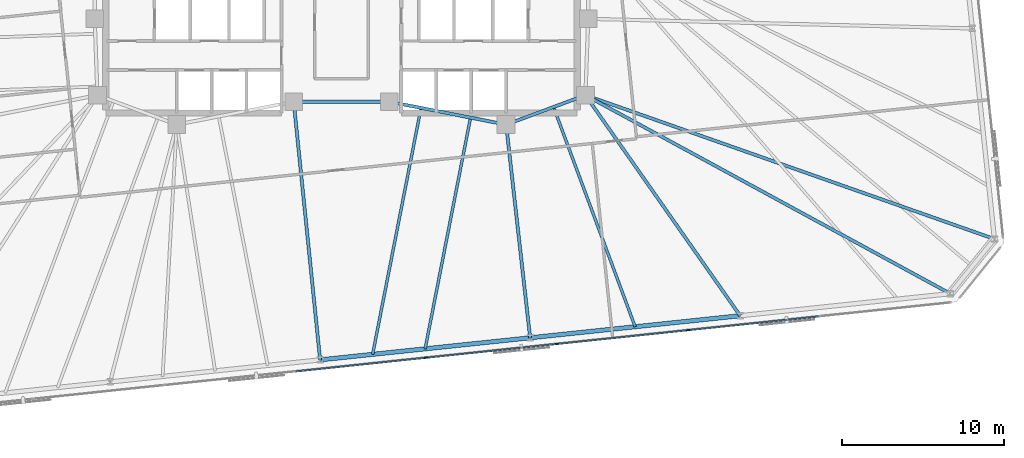
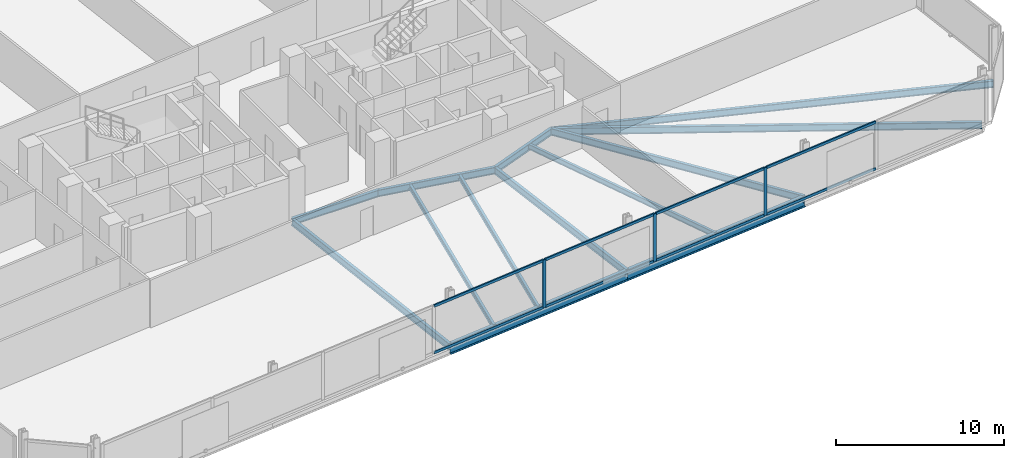
# One storey, part 7 of 18: 13 beams, 11 members, 1 element without a shape of its own.
"""IFC4 building model written with IfcOpenShell, lengths in metres."""

from ifc_helpers import new_model, si_unit, direction, frame, origin, origin_2d, place, context, subcontext, project, spatial, rectangle, i_section, extrude, material, material_profile, profile_set, type_object, element, aggregate, save


model = new_model("IFC4")

# Units and contexts
model_context = context("Model", 3, precision=1e-05, world=origin(), true_north=direction((0.0, 1.0)))
body_context = subcontext(model_context, "Body", "Model", "MODEL_VIEW")
ifc_project = project(units=[si_unit("LENGTHUNIT", "METRE"), si_unit("AREAUNIT", "SQUARE_METRE"), si_unit("VOLUMEUNIT", "CUBIC_METRE"), si_unit("PLANEANGLEUNIT", "RADIAN"), si_unit("MASSUNIT", "GRAM", prefix="KILO")], contexts=[model_context])

# Site, building, storey
site_placement = place(None, origin())
site = spatial("IfcSite", under=ifc_project, at=site_placement, CompositionType="ELEMENT")
building_placement = place(site_placement, origin())
building = spatial("IfcBuilding", under=site, at=building_placement, Name="Menara Jurai Vektor", CompositionType="ELEMENT")
storey_placement = place(building_placement, frame((0.0, 0.0, 105.89990234375)))
storey = spatial("IfcBuildingStorey", under=building, at=storey_placement, Name="L26", CompositionType="ELEMENT", Elevation=105.89990234375)

# Curtain wall, members
ifc_material_1 = material(Name="Anodised Pale Aluminium & Low-E Double Glazing", Category="aluminium")
curtain_wall_type = type_object("IfcCurtainWallType", Name="CW-BLK2", PredefinedType="NOTDEFINED", material=ifc_material_1)
curtain_wall_placement = place(storey_placement, origin())
curtain_wall = element("IfcCurtainWall", 1, at=curtain_wall_placement, inside=storey, type_object=curtain_wall_type, Name="Unitised Curtain Wall L26 F01", PredefinedType="NOTDEFINED")
ifc_material_2 = material(Name="Anodised Pale Aluminium Mullion", Category="aluminium")
ifc_material_profile_1 = material_profile(ifc_material_2, rectangle(XDim=0.090087890625, YDim=0.219970703125, at=origin_2d()), Name="ALU MUL 90x220")
ifc_profile_set_1 = profile_set([ifc_material_profile_1], Name="Anodised Pale Aluminium Mullion")
member_type_1 = type_object("IfcMemberType", Name="CW-BLK2-MUL", PredefinedType="MULLION", material=ifc_profile_set_1)
member_1_placement = place(storey_placement, frame((5.230224609375, -20.72265625, 0.0), z_axis=(0.0, 0.0, 1.0), x_axis=(-0.104528634935, 0.994521877325, 0.0)))
member_1 = element("IfcMember", 2, at=member_1_placement, type_object=member_type_1, Name="CW-02 mullion 5", PredefinedType="MULLION", context=body_context, shape_type="SweptSolid", body=[
    extrude(rectangle(XDim=0.090087890625, YDim=0.219970703125, at=origin_2d()), origin(), (0.0, 0.0, 1.0), 3.47509765625),
])
member_2_placement = place(storey_placement, frame((13.328125, -19.87158203125, 0.0), z_axis=(0.0, 0.0, 1.0), x_axis=(-0.104528634935, 0.994521877325, 0.0)))
member_2 = element("IfcMember", 3, at=member_2_placement, type_object=member_type_1, Name="CW-02 mullion 6", PredefinedType="MULLION", context=body_context, shape_type="SweptSolid", body=[
    extrude(rectangle(XDim=0.090087890625, YDim=0.219970703125, at=origin_2d()), origin(), (0.0, 0.0, 1.0), 3.47509765625),
])
member_3_placement = place(storey_placement, frame((21.426025390625, -19.020263671875, 0.0), z_axis=(0.0, 0.0, 1.0), x_axis=(-0.104528634935, 0.994521877325, 0.0)))
member_3 = element("IfcMember", 4, at=member_3_placement, type_object=member_type_1, Name="CW-02 mullion 7", PredefinedType="MULLION", context=body_context, shape_type="SweptSolid", body=[
    extrude(rectangle(XDim=0.090087890625, YDim=0.219970703125, at=origin_2d()), origin(), (0.0, 0.0, 1.0), 3.47509765625),
])
ifc_material_3 = material(Name="Anodised Pale Aluminium Transom", Category="aluminium")
ifc_material_profile_2 = material_profile(ifc_material_3, rectangle(XDim=0.090087890625, YDim=0.18505859375, at=origin_2d()), Name="ALU TRN 90x185")
ifc_profile_set_2 = profile_set([ifc_material_profile_2], Name="Anodised Pale Aluminium Transom")
member_type_2 = type_object("IfcMemberType", Name="CW-BLK2-TRN", PredefinedType="USERDEFINED", material=ifc_profile_set_2)
member_4_placement = place(storey_placement, frame((-2.82275390625, -21.569091796875, 0.045166015625), z_axis=(0.994520726373, 0.10453958492, 0.0), x_axis=(-0.10453958492, 0.994520726373, 0.0)))
member_4 = element("IfcMember", 5, at=member_4_placement, type_object=member_type_2, Name="CW-02 transom 4.1", ObjectType="TRANSOM", PredefinedType="USERDEFINED", context=body_context, shape_type="SweptSolid", body=[
    extrude(rectangle(XDim=0.090087890625, YDim=0.18505859375, at=origin_2d()), origin(), (0.0, 0.0, 1.0), 8.052490234375),
])
member_5_placement = place(storey_placement, frame((-2.82275390625, -21.569091796875, 3.43017578125), z_axis=(0.994520726373, 0.10453958492, 0.0), x_axis=(-0.10453958492, 0.994520726373, 0.0)))
member_5 = element("IfcMember", 6, at=member_5_placement, type_object=member_type_2, Name="CW-02 transom 4.2", ObjectType="TRANSOM", PredefinedType="USERDEFINED", context=body_context, shape_type="SweptSolid", body=[
    extrude(rectangle(XDim=0.090087890625, YDim=0.18505859375, at=origin_2d()), origin(), (0.0, 0.0, 1.0), 8.052490234375),
])
member_6_placement = place(storey_placement, frame((5.275146484375, -20.718017578125, 0.045166015625), z_axis=(0.994520726373, 0.10453958492, 0.0), x_axis=(-0.10453958492, 0.994520726373, 0.0)))
member_6 = element("IfcMember", 7, at=member_6_placement, type_object=member_type_2, Name="CW-02 transom 5.1", ObjectType="TRANSOM", PredefinedType="USERDEFINED", context=body_context, shape_type="SweptSolid", body=[
    extrude(rectangle(XDim=0.090087890625, YDim=0.18505859375, at=origin_2d()), origin(), (0.0, 0.0, 1.0), 8.052490234375),
])
member_7_placement = place(storey_placement, frame((5.275146484375, -20.718017578125, 3.43017578125), z_axis=(0.994520726373, 0.10453958492, 0.0), x_axis=(-0.10453958492, 0.994520726373, 0.0)))
member_7 = element("IfcMember", 8, at=member_7_placement, type_object=member_type_2, Name="CW-02 transom 5.2", ObjectType="TRANSOM", PredefinedType="USERDEFINED", context=body_context, shape_type="SweptSolid", body=[
    extrude(rectangle(XDim=0.090087890625, YDim=0.18505859375, at=origin_2d()), origin(), (0.0, 0.0, 1.0), 8.052490234375),
])
member_8_placement = place(storey_placement, frame((13.373046875, -19.86669921875, 0.045166015625), z_axis=(0.99452387809, 0.104509597213, 0.0), x_axis=(-0.104509597213, 0.99452387809, 0.0)))
member_8 = element("IfcMember", 9, at=member_8_placement, type_object=member_type_2, Name="CW-02 transom 6.1", ObjectType="TRANSOM", PredefinedType="USERDEFINED", context=body_context, shape_type="SweptSolid", body=[
    extrude(rectangle(XDim=0.090087890625, YDim=0.18505859375, at=origin_2d()), origin(), (0.0, 0.0, 1.0), 8.052490234375),
])
member_9_placement = place(storey_placement, frame((13.373046875, -19.86669921875, 3.43017578125), z_axis=(0.99452387809, 0.104509597213, 0.0), x_axis=(-0.104509597213, 0.99452387809, 0.0)))
member_9 = element("IfcMember", 10, at=member_9_placement, type_object=member_type_2, Name="CW-02 transom 6.2", ObjectType="TRANSOM", PredefinedType="USERDEFINED", context=body_context, shape_type="SweptSolid", body=[
    extrude(rectangle(XDim=0.090087890625, YDim=0.18505859375, at=origin_2d()), origin(), (0.0, 0.0, 1.0), 8.052490234375),
])
member_10_placement = place(storey_placement, frame((21.470947265625, -19.015625, 0.045166015625), z_axis=(0.994520726373, 0.10453958492, 0.0), x_axis=(-0.10453958492, 0.994520726373, 0.0)))
member_10 = element("IfcMember", 11, at=member_10_placement, type_object=member_type_2, Name="CW-02 transom 7.1", ObjectType="TRANSOM", PredefinedType="USERDEFINED", context=body_context, shape_type="SweptSolid", body=[
    extrude(rectangle(XDim=0.090087890625, YDim=0.18505859375, at=origin_2d()), origin(), (0.0, 0.0, 1.0), 8.052490234375),
])
member_11_placement = place(storey_placement, frame((21.470947265625, -19.015625, 3.43017578125), z_axis=(0.994520726373, 0.10453958492, 0.0), x_axis=(-0.10453958492, 0.994520726373, 0.0)))
member_11 = element("IfcMember", 12, at=member_11_placement, type_object=member_type_2, Name="CW-02 transom 7.2", ObjectType="TRANSOM", PredefinedType="USERDEFINED", context=body_context, shape_type="SweptSolid", body=[
    extrude(rectangle(XDim=0.090087890625, YDim=0.18505859375, at=origin_2d()), origin(), (0.0, 0.0, 1.0), 8.052490234375),
])
aggregate(curtain_wall, [member_1, member_2, member_3, member_4, member_5, member_6, member_7, member_8, member_9, member_10, member_11])

# Beams
ifc_material_4 = material(Name="Steel S355", Category="steel")
ifc_material_profile_3 = material_profile(ifc_material_4, i_section(OverallWidth=0.199951171875, OverallDepth=0.5, WebThickness=0.011962890625, FlangeThickness=0.02001953125, at=origin_2d()), Name="PG 500x200x96")
ifc_profile_set_3 = profile_set([ifc_material_profile_3], Name="Steel S355")
beam_type_1 = type_object("IfcBeamType", Name="STR-BM-500", PredefinedType="BEAM", material=ifc_profile_set_3)
beam_1_placement = place(storey_placement, frame((10.179931640625, -6.320068359375, -0.474853515625), z_axis=(0.937424400887, 0.348188874925, 0.0), x_axis=(-0.348188874925, 0.937424400887, 0.0)))
element("IfcBeam", 13, at=beam_1_placement, inside=storey, type_object=beam_type_1, Name="Core Ring Header Girder L26-CHE-S1", PredefinedType="BEAM", context=body_context, shape_type="SweptSolid", body=[
    extrude(i_section(OverallWidth=0.199951171875, OverallDepth=0.5, WebThickness=0.011962890625, FlangeThickness=0.02001953125, at=origin_2d()), origin(), (0.0, 0.0, 1.0), 5.227294921875),
])
beam_2_placement = place(storey_placement, frame((2.949951171875, -4.89990234375, -0.474853515625), z_axis=(0.981249044334, -0.192744164614, 0.0), x_axis=(0.192744164614, 0.981249044334, 0.0)))
element("IfcBeam", 14, at=beam_2_placement, inside=storey, type_object=beam_type_1, Name="Core Ring Header Girder L26-CHE-S2", PredefinedType="BEAM", context=body_context, shape_type="SweptSolid", body=[
    extrude(i_section(OverallWidth=0.199951171875, OverallDepth=0.5, WebThickness=0.011962890625, FlangeThickness=0.02001953125, at=origin_2d()), origin(), (0.0, 0.0, 1.0), 7.3681640625),
])
beam_3_placement = place(storey_placement, frame((-2.949951171875, -4.89990234375, -0.474853515625), z_axis=(1.0, 0.0, 0.0), x_axis=(0.0, 1.0, 0.0)))
element("IfcBeam", 15, at=beam_3_placement, inside=storey, type_object=beam_type_1, Name="Core Ring Header Girder L26-CC-1", PredefinedType="BEAM", context=body_context, shape_type="SweptSolid", body=[
    extrude(i_section(OverallWidth=0.199951171875, OverallDepth=0.5, WebThickness=0.011962890625, FlangeThickness=0.02001953125, at=origin_2d()), origin(), (0.0, 0.0, 1.0), 5.89990234375),
])
beam_4_placement = place(storey_placement, frame((-1.31689453125, -20.85791015625, -0.474853515625), z_axis=(-0.101802947506, 0.994804583765, 0.0), x_axis=(-0.994804583765, -0.101802947506, 0.0)))
element("IfcBeam", 16, at=beam_4_placement, inside=storey, type_object=beam_type_1, Name="Radial Floor Girder L26-S3", PredefinedType="BEAM", context=body_context, shape_type="SweptSolid", body=[
    extrude(i_section(OverallWidth=0.199951171875, OverallDepth=0.5, WebThickness=0.011962890625, FlangeThickness=0.02001953125, at=origin_2d()), origin(), (0.0, 0.0, 1.0), 16.041259765625),
])
beam_5_placement = place(storey_placement, frame((11.66259765625, -19.493408203125, -0.474853515625), z_axis=(-0.111844331087, 0.99372573963, 0.0), x_axis=(-0.99372573963, -0.111844331087, 0.0)))
element("IfcBeam", 17, at=beam_5_placement, inside=storey, type_object=beam_type_1, Name="Radial Floor Girder L26-S4", PredefinedType="BEAM", context=body_context, shape_type="SweptSolid", body=[
    extrude(i_section(OverallWidth=0.199951171875, OverallDepth=0.5, WebThickness=0.011962890625, FlangeThickness=0.02001953125, at=origin_2d()), origin(), (0.0, 0.0, 1.0), 13.256591796875),
])
beam_6_placement = place(storey_placement, frame((24.64208984375, -18.12939453125, -0.474853515625), z_axis=(-0.574326112611, 0.818626603754, 0.0), x_axis=(-0.818626603754, -0.574326112611, 0.0)))
element("IfcBeam", 18, at=beam_6_placement, inside=storey, type_object=beam_type_1, Name="Radial Floor Girder L26-S5", PredefinedType="BEAM", context=body_context, shape_type="SweptSolid", body=[
    extrude(i_section(OverallWidth=0.199951171875, OverallDepth=0.5, WebThickness=0.011962890625, FlangeThickness=0.02001953125, at=origin_2d()), origin(), (0.0, 0.0, 1.0), 16.649169921875),
])
beam_7_placement = place(storey_placement, frame((37.621826171875, -16.76513671875, -0.474853515625), z_axis=(-0.878392468416, 0.477940029115, 0.0), x_axis=(-0.477940029115, -0.878392468416, 0.0)))
element("IfcBeam", 19, at=beam_7_placement, inside=storey, type_object=beam_type_1, Name="Radial Floor Girder L26-S6", PredefinedType="BEAM", context=body_context, shape_type="SweptSolid", body=[
    extrude(i_section(OverallWidth=0.199951171875, OverallDepth=0.5, WebThickness=0.011962890625, FlangeThickness=0.02001953125, at=origin_2d()), origin(), (0.0, 0.0, 1.0), 25.66259765625),
])
beam_8_placement = place(storey_placement, frame((40.356201171875, -13.388671875, -0.474853515625), z_axis=(-0.943368219745, 0.331747497315, 0.0), x_axis=(-0.331747497315, -0.943368219745, 0.0)))
element("IfcBeam", 20, at=beam_8_placement, inside=storey, type_object=beam_type_1, Name="Radial Floor Girder L26-E1", PredefinedType="BEAM", context=body_context, shape_type="SweptSolid", body=[
    extrude(i_section(OverallWidth=0.199951171875, OverallDepth=0.5, WebThickness=0.011962890625, FlangeThickness=0.02001953125, at=origin_2d()), origin(), (0.0, 0.0, 1.0), 26.79345703125),
])
ifc_material_profile_4 = material_profile(ifc_material_4, i_section(OverallWidth=0.175048828125, OverallDepth=0.3798828125, WebThickness=0.010009765625, FlangeThickness=0.014892578125, at=origin_2d()), Name="PG 380x175x58")
ifc_profile_set_4 = profile_set([ifc_material_profile_4], Name="Steel S355")
beam_type_2 = type_object("IfcBeamType", Name="STR-JS-380", PredefinedType="JOIST", material=ifc_profile_set_4)
beam_9_placement = place(storey_placement, frame((1.927978515625, -20.5166015625, -0.414794921875), z_axis=(0.192720963177, 0.981253601447, 0.0), x_axis=(-0.981253601447, 0.192720963177, 0.0)))
element("IfcBeam", 21, at=beam_9_placement, inside=storey, type_object=beam_type_2, Name="Radial Secondary Floor Joist L26-JS06", PredefinedType="JOIST", context=body_context, shape_type="SweptSolid", body=[
    extrude(i_section(OverallWidth=0.175048828125, OverallDepth=0.3798828125, WebThickness=0.010009765625, FlangeThickness=0.014892578125, at=origin_2d()), origin(), (0.0, 0.0, 1.0), 15.52099609375),
])
beam_10_placement = place(storey_placement, frame((5.1728515625, -20.175537109375, -0.414794921875), z_axis=(0.192719646422, 0.98125386006, 0.0), x_axis=(-0.98125386006, 0.192719646422, 0.0)))
element("IfcBeam", 22, at=beam_10_placement, inside=storey, type_object=beam_type_2, Name="Radial Secondary Floor Joist L26-JS07", PredefinedType="JOIST", context=body_context, shape_type="SweptSolid", body=[
    extrude(i_section(OverallWidth=0.175048828125, OverallDepth=0.3798828125, WebThickness=0.010009765625, FlangeThickness=0.014892578125, at=origin_2d()), origin(), (0.0, 0.0, 1.0), 14.560791015625),
])
beam_11_placement = place(storey_placement, frame((18.15234375, -18.811279296875, -0.414794921875), z_axis=(-0.348188645432, 0.937424486128, 0.0), x_axis=(-0.937424486128, -0.348188645432, 0.0)))
element("IfcBeam", 23, at=beam_11_placement, inside=storey, type_object=beam_type_2, Name="Radial Secondary Floor Joist L26-JS08", PredefinedType="JOIST", context=body_context, shape_type="SweptSolid", body=[
    extrude(i_section(OverallWidth=0.175048828125, OverallDepth=0.3798828125, WebThickness=0.010009765625, FlangeThickness=0.014892578125, at=origin_2d()), origin(), (0.0, 0.0, 1.0), 14.485595703125),
])
ifc_material_5 = material(Name="Steel S460", Category="steel")
ifc_material_profile_5 = material_profile(ifc_material_5, i_section(OverallWidth=0.26806640625, OverallDepth=0.77001953125, WebThickness=0.01611328125, FlangeThickness=0.02490234375, FilletRadius=0.01708984375, at=origin_2d()), Name="UKB 762x267x197")
ifc_profile_set_5 = profile_set([ifc_material_profile_5], Name="Steel S460")
beam_type_3 = type_object("IfcBeamType", Name="STR-SP-762", PredefinedType="SPANDREL", material=ifc_profile_set_5)
for number, where, z_axis, x_axis, name in (
    (24, (-1.31689453125, -20.85791015625, -0.60986328125), (0.994519486762, 0.104551377088, 0.0), (-0.104551377088, 0.994519486762, 0.0), "Exoskeleton Spandrel Beam L26-03"),
    (25, (11.66259765625, -19.493408203125, -0.60986328125), (0.99452337626, 0.104514372567, 0.0), (-0.104514372567, 0.99452337626, 0.0), "Exoskeleton Spandrel Beam L26-04"),
):
    element("IfcBeam", number, at=place(storey_placement, frame(where, z_axis=z_axis, x_axis=x_axis)), inside=storey, type_object=beam_type_3, Name=name, PredefinedType="SPANDREL", context=body_context, shape_type="SweptSolid", body=[
        extrude(i_section(OverallWidth=0.26806640625, OverallDepth=0.77001953125, WebThickness=0.01611328125, FlangeThickness=0.02490234375, FilletRadius=0.01708984375, at=origin_2d()), origin(), (0.0, 0.0, 1.0), 13.051025390625),
    ])

save(model, "model.ifc")
